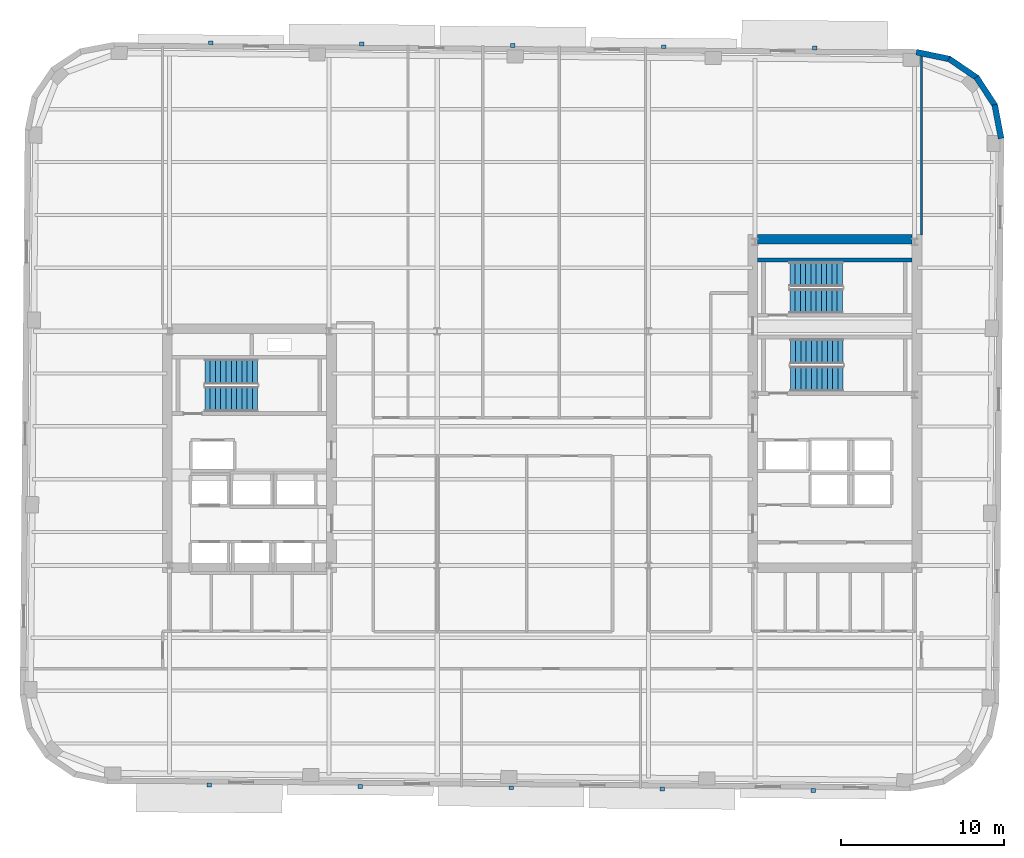
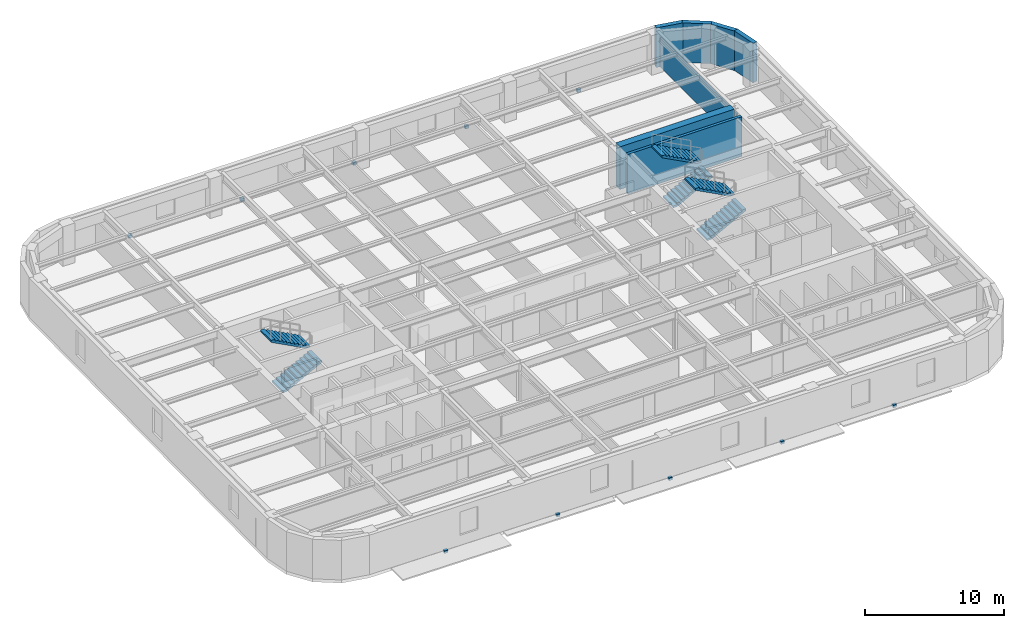
# One storey, part 7 of 11: 10 discrete accessories, 7 walls, 6 stair flights, 3 elements without a shape of their own.
"""IFC4 building model written with IfcOpenShell, lengths in metres."""

from ifc_helpers import new_model, si_unit, direction, frame, frame_2d, origin, origin_2d, place, context, subcontext, project, spatial, polyline, rectangle, outline, extrude, material, layer, layer_set, type_object, element, aggregate, save


model = new_model("IFC4")

# Units and contexts
model_context = context("Model", 3, precision=1e-05, world=origin(), true_north=direction((0.0, 1.0)))
body_context = subcontext(model_context, "Body", "Model", "MODEL_VIEW")
ifc_project = project(units=[si_unit("LENGTHUNIT", "METRE"), si_unit("AREAUNIT", "SQUARE_METRE"), si_unit("VOLUMEUNIT", "CUBIC_METRE"), si_unit("PLANEANGLEUNIT", "RADIAN"), si_unit("MASSUNIT", "GRAM", prefix="KILO")], contexts=[model_context])

# Site, building, storey
site_placement = place(None, origin())
site = spatial("IfcSite", under=ifc_project, at=site_placement, CompositionType="ELEMENT")
building_placement = place(site_placement, origin())
building = spatial("IfcBuilding", under=site, at=building_placement, Name="Kolvaren Arena Tower", CompositionType="ELEMENT")
storey_placement = place(building_placement, frame((0.0, 0.0, 184.699951171875)))
storey = spatial("IfcBuildingStorey", under=building, at=storey_placement, Name="L44", CompositionType="ELEMENT", Elevation=184.699951171875)

# Walls
ifc_material_1 = material(Name="Concrete 60 MPa", Category="concrete")
ifc_layer_1 = layer(ifc_material_1, 0.60009765625)
ifc_layer_set_1 = layer_set([ifc_layer_1], Name="Concrete 60 MPa")
wall_type_1 = type_object("IfcWallType", Name="CWALL-600", PredefinedType="SHEAR", material=ifc_layer_set_1)
wall_1_placement = place(storey_placement, frame((50.699951171875, 39.5, -0.27001953125), z_axis=(0.0, 0.0, 1.0), x_axis=(1.0, 0.0, 0.0)))
element("IfcWall", 1, at=wall_1_placement, inside=storey, type_object=wall_type_1, Name="Core Shear Wall EC-NORTH (L44)", PredefinedType="SHEAR", context=body_context, shape_type="SweptSolid", body=[
    extrude(rectangle(XDim=9.5, YDim=0.60009765625, at=frame_2d((4.75, 0.0))), origin(), (0.0, 0.0, 1.0), 3.75),
])
ifc_material_2 = material(Name="Precast concrete C50/60", Category="concrete")
ifc_layer_2 = layer(ifc_material_2, 0.360107421875)
ifc_layer_set_2 = layer_set([ifc_layer_2], Name="Precast concrete C50/60")
wall_type_2 = type_object("IfcWallType", Name="EXT-PIER2", PredefinedType="SOLIDWALL", material=ifc_layer_set_2)
wall_2_placement = place(storey_placement, frame((65.281005859375, 47.773193359375, 0.0), z_axis=(0.0, 0.0, 1.0), x_axis=(0.186435855703, -0.98246713518, 0.0)))
element("IfcWall", 2, at=wall_2_placement, inside=storey, type_object=wall_type_2, Name="Exterior Precast Masonry-Frame Wall (L44)", PredefinedType="SOLIDWALL", context=body_context, shape_type="SweptSolid", body=[
    extrude(rectangle(XDim=2.10693359375, YDim=0.360107421875, at=frame_2d((1.053466796875, 0.0))), origin(), (0.0, 0.0, 1.0), 3.47998046875),
])
wall_3_placement = place(storey_placement, frame((64.152099609375, 49.469970703125, 0.0), z_axis=(0.0, 0.0, 1.0), x_axis=(0.548238722478, -0.83632188969, 0.0)))
element("IfcWall", 3, at=wall_3_placement, inside=storey, type_object=wall_type_2, Name="Exterior Precast Masonry-Frame Wall (L44)", PredefinedType="SOLIDWALL", context=body_context, shape_type="SweptSolid", body=[
    extrude(rectangle(XDim=2.106689453125, YDim=0.360107421875, at=frame_2d((1.05322265625, 0.0))), origin(), (0.0, 0.0, 1.0), 3.47998046875),
])
wall_4_placement = place(storey_placement, frame((62.45947265625, 50.605712890625, 0.0), z_axis=(0.0, 0.0, 1.0), x_axis=(0.826609569219, -0.56277581689, 0.0)))
element("IfcWall", 4, at=wall_4_placement, inside=storey, type_object=wall_type_2, Name="Exterior Precast Masonry-Frame Wall (L44)", PredefinedType="SOLIDWALL", context=body_context, shape_type="SweptSolid", body=[
    extrude(rectangle(XDim=2.10693359375, YDim=0.360107421875, at=frame_2d((1.053466796875, 0.0))), origin(), (0.0, 0.0, 1.0), 3.47998046875),
])
wall_5_placement = place(storey_placement, frame((60.461181640625, 51.00732421875, 0.0), z_axis=(0.0, 0.0, 1.0), x_axis=(0.979059388908, -0.203574833883, 0.0)))
element("IfcWall", 5, at=wall_5_placement, inside=storey, type_object=wall_type_2, Name="Exterior Precast Masonry-Frame Wall (L44)", PredefinedType="SOLIDWALL", context=body_context, shape_type="SweptSolid", body=[
    extrude(rectangle(XDim=2.107177734375, YDim=0.360107421875, at=frame_2d((1.0537109375, 0.0))), origin(), (0.0, 0.0, 1.0), 3.47998046875),
])
ifc_material_3 = material(Name="Gypsum board partition assembly", Category="gypsum")
ifc_layer_3 = layer(ifc_material_3, 0.135009765625)
ifc_layer_set_3 = layer_set([ifc_layer_3], Name="Gypsum board partition assembly")
wall_type_3 = type_object("IfcWallType", Name="PART-135", PredefinedType="PARTITIONING", material=ifc_layer_set_3)
wall_6_placement = place(storey_placement, frame((60.780029296875, 39.75, 0.0), z_axis=(0.0, 0.0, 1.0), x_axis=(0.0, 1.0, 0.0)))
element("IfcWall", 6, at=wall_6_placement, inside=storey, type_object=wall_type_3, Name="Interior Partition Wall (L44)", PredefinedType="PARTITIONING", context=body_context, shape_type="SweptSolid", body=[
    extrude(rectangle(XDim=11.1298828125, YDim=0.135009765625, at=frame_2d((5.56494140625, 0.0))), origin(), (0.0, 0.0, 1.0), 2.5400390625),
])
ifc_material_4 = material(Name="Concrete 45 MPa", Category="concrete")
ifc_layer_4 = layer(ifc_material_4, 0.25)
ifc_layer_set_4 = layer_set([ifc_layer_4], Name="Concrete 45 MPa")
wall_type_4 = type_object("IfcWallType", Name="SHAFT-250", PredefinedType="SOLIDWALL", material=ifc_layer_set_4)
wall_7_placement = place(storey_placement, frame((50.699951171875, 38.219970703125, 0.0), z_axis=(0.0, 0.0, 1.0), x_axis=(1.0, 0.0, 0.0)))
element("IfcWall", 7, at=wall_7_placement, inside=storey, type_object=wall_type_4, Name="Core Shaft Wall (L44)", PredefinedType="SOLIDWALL", context=body_context, shape_type="SweptSolid", body=[
    extrude(rectangle(XDim=9.5, YDim=0.239990234375, at=frame_2d((4.75, 0.0))), origin(), (0.0, 0.0, 1.0), 3.47998046875),
])

# Stair, stair flights
stair_type_1 = type_object("IfcStairType", Name="STAIR-CORE-150", PredefinedType="HALF_TURN_STAIR", material=ifc_material_4)
stair_1_placement = place(storey_placement, origin())
stair_1 = element("IfcStair", 8, at=stair_1_placement, inside=storey, type_object=stair_type_1, Name="L44 ST-E2", PredefinedType="HALF_TURN_STAIR")
stair_flight_type_1 = type_object("IfcStairFlightType", Name="FLT-150", PredefinedType="STRAIGHT", material=ifc_material_4)
stair_flight_1_placement = place(storey_placement, frame((52.679931640625, 35.699951171875, 0.0), z_axis=(0.0, 0.0, 1.0), x_axis=(1.0, 0.0, 0.0)))
stair_flight_1 = element("IfcStairFlight", 9, at=stair_flight_1_placement, type_object=stair_flight_type_1, Name="ST-E2 flight 1", NumberOfRisers=11, NumberOfTreads=10, PredefinedType="STRAIGHT", RiserHeight=0.170454545, TreadLength=0.324, context=body_context, shape_type="SweptSolid", body=[
    extrude(outline(polyline([(0.0, 0.0), (0.0, 0.17041015625), (0.323974609375, 0.17041015625), (0.323974609375, 0.3408203125), (0.64794921875, 0.3408203125), (0.64794921875, 0.511474609375), (0.971923828125, 0.511474609375), (0.971923828125, 0.681884765625), (1.2958984375, 0.681884765625), (1.2958984375, 0.852294921875), (1.6201171875, 0.852294921875), (1.6201171875, 1.022705078125), (1.944091796875, 1.022705078125), (1.944091796875, 1.193115234375), (2.26806640625, 1.193115234375), (2.26806640625, 1.363525390625), (2.592041015625, 1.363525390625), (2.592041015625, 1.5341796875), (2.916015625, 1.5341796875), (2.916015625, 1.70458984375), (3.239990234375, 1.70458984375), (3.239990234375, 1.875), (3.239990234375, 1.53515625), (0.322021484375, 0.0), (0.0, 0.0)])), frame((0.0, 0.75, 0.0), z_axis=(0.0, -1.0, 0.0), x_axis=(1.0, 0.0, 0.0)), (0.0, 0.0, 1.0), 1.5),
])
stair_flight_2_placement = place(storey_placement, frame((55.919921875, 37.35009765625, 1.875), z_axis=(0.0, 0.0, 1.0), x_axis=(-1.0, 0.0, 0.0)))
stair_flight_2 = element("IfcStairFlight", 10, at=stair_flight_2_placement, type_object=stair_flight_type_1, Name="ST-E2 flight 2", NumberOfRisers=11, NumberOfTreads=10, PredefinedType="STRAIGHT", RiserHeight=0.170454545, TreadLength=0.324, context=body_context, shape_type="SweptSolid", body=[
    extrude(outline(polyline([(0.0, 0.0), (0.0, 0.17041015625), (0.323974609375, 0.17041015625), (0.323974609375, 0.3408203125), (0.64794921875, 0.3408203125), (0.64794921875, 0.511474609375), (0.971923828125, 0.511474609375), (0.971923828125, 0.681884765625), (1.2958984375, 0.681884765625), (1.2958984375, 0.852294921875), (1.6201171875, 0.852294921875), (1.6201171875, 1.022705078125), (1.944091796875, 1.022705078125), (1.944091796875, 1.193115234375), (2.26806640625, 1.193115234375), (2.26806640625, 1.363525390625), (2.592041015625, 1.363525390625), (2.592041015625, 1.5341796875), (2.916015625, 1.5341796875), (2.916015625, 1.70458984375), (3.239990234375, 1.70458984375), (3.239990234375, 1.875), (3.239990234375, 1.53515625), (0.322021484375, 0.0), (0.0, 0.0)])), frame((0.0, 0.75, 0.0), z_axis=(0.0, -1.0, 0.0), x_axis=(1.0, 0.0, 0.0)), (0.0, 0.0, 1.0), 1.5),
])
aggregate(stair_1, [stair_flight_1, stair_flight_2])

stair_type_2 = type_object("IfcStairType", Name="STAIR-CORE-165", PredefinedType="HALF_TURN_STAIR", material=ifc_material_4)
stair_2_placement = place(storey_placement, origin())
stair_2 = element("IfcStair", 11, at=stair_2_placement, inside=storey, type_object=stair_type_2, Name="L44 ST-W1", PredefinedType="HALF_TURN_STAIR")
stair_flight_type_2 = type_object("IfcStairFlightType", Name="FLT-165", PredefinedType="STRAIGHT", material=ifc_material_4)
stair_flight_3_placement = place(storey_placement, frame((16.719970703125, 29.669921875, 0.0), z_axis=(0.0, 0.0, 1.0), x_axis=(1.0, 0.0, 0.0)))
stair_flight_3 = element("IfcStairFlight", 12, at=stair_flight_3_placement, type_object=stair_flight_type_2, Name="ST-W1 flight 1", NumberOfRisers=11, NumberOfTreads=10, PredefinedType="STRAIGHT", RiserHeight=0.170454545, TreadLength=0.324, context=body_context, shape_type="SweptSolid", body=[
    extrude(outline(polyline([(0.0, 0.0), (0.0, 0.17041015625), (0.323974609375, 0.17041015625), (0.323974609375, 0.3408203125), (0.64794921875, 0.3408203125), (0.64794921875, 0.511474609375), (0.971923828125, 0.511474609375), (0.971923828125, 0.681884765625), (1.2958984375, 0.681884765625), (1.2958984375, 0.852294921875), (1.6201171875, 0.852294921875), (1.6201171875, 1.022705078125), (1.944091796875, 1.022705078125), (1.944091796875, 1.193115234375), (2.26806640625, 1.193115234375), (2.26806640625, 1.363525390625), (2.592041015625, 1.363525390625), (2.592041015625, 1.5341796875), (2.916015625, 1.5341796875), (2.916015625, 1.70458984375), (3.239990234375, 1.70458984375), (3.239990234375, 1.875), (3.239990234375, 1.53515625), (0.322021484375, 0.0), (0.0, 0.0)])), frame((0.0, 0.77001953125, 0.0), z_axis=(0.0, -1.0, 0.0), x_axis=(1.0, 0.0, 0.0)), (0.0, 0.0, 1.0), 1.5400390625),
])
stair_flight_4_placement = place(storey_placement, frame((19.9599609375, 31.360107421875, 1.875), z_axis=(0.0, 0.0, 1.0), x_axis=(-1.0, 0.0, 0.0)))
stair_flight_4 = element("IfcStairFlight", 13, at=stair_flight_4_placement, type_object=stair_flight_type_2, Name="ST-W1 flight 2", NumberOfRisers=11, NumberOfTreads=10, PredefinedType="STRAIGHT", RiserHeight=0.170454545, TreadLength=0.324, context=body_context, shape_type="SweptSolid", body=[
    extrude(outline(polyline([(0.0, 0.0), (0.0, 0.17041015625), (0.323974609375, 0.17041015625), (0.323974609375, 0.3408203125), (0.64794921875, 0.3408203125), (0.64794921875, 0.511474609375), (0.971923828125, 0.511474609375), (0.971923828125, 0.681884765625), (1.2958984375, 0.681884765625), (1.2958984375, 0.852294921875), (1.6201171875, 0.852294921875), (1.6201171875, 1.022705078125), (1.944091796875, 1.022705078125), (1.944091796875, 1.193115234375), (2.26806640625, 1.193115234375), (2.26806640625, 1.363525390625), (2.592041015625, 1.363525390625), (2.592041015625, 1.5341796875), (2.916015625, 1.5341796875), (2.916015625, 1.70458984375), (3.239990234375, 1.70458984375), (3.239990234375, 1.875), (3.239990234375, 1.53515625), (0.322021484375, 0.0), (0.0, 0.0)])), frame((0.0, 0.77001953125, 0.0), z_axis=(0.0, -1.0, 0.0), x_axis=(1.0, 0.0, 0.0)), (0.0, 0.0, 1.0), 1.5400390625),
])
aggregate(stair_2, [stair_flight_3, stair_flight_4])

stair_3_placement = place(storey_placement, origin())
stair_3 = element("IfcStair", 14, at=stair_3_placement, inside=storey, type_object=stair_type_2, Name="L44 ST-E1", PredefinedType="HALF_TURN_STAIR")
stair_flight_5_placement = place(storey_placement, frame((52.719970703125, 30.919921875, 0.0), z_axis=(0.0, 0.0, 1.0), x_axis=(1.0, 0.0, 0.0)))
stair_flight_5 = element("IfcStairFlight", 15, at=stair_flight_5_placement, type_object=stair_flight_type_2, Name="ST-E1 flight 1", NumberOfRisers=11, NumberOfTreads=10, PredefinedType="STRAIGHT", RiserHeight=0.170454545, TreadLength=0.324, context=body_context, shape_type="SweptSolid", body=[
    extrude(outline(polyline([(0.0, 0.0), (0.0, 0.17041015625), (0.323974609375, 0.17041015625), (0.323974609375, 0.3408203125), (0.64794921875, 0.3408203125), (0.64794921875, 0.511474609375), (0.971923828125, 0.511474609375), (0.971923828125, 0.681884765625), (1.2958984375, 0.681884765625), (1.2958984375, 0.852294921875), (1.6201171875, 0.852294921875), (1.6201171875, 1.022705078125), (1.944091796875, 1.022705078125), (1.944091796875, 1.193115234375), (2.26806640625, 1.193115234375), (2.26806640625, 1.363525390625), (2.592041015625, 1.363525390625), (2.592041015625, 1.5341796875), (2.916015625, 1.5341796875), (2.916015625, 1.70458984375), (3.239990234375, 1.70458984375), (3.239990234375, 1.875), (3.239990234375, 1.53515625), (0.322021484375, 0.0), (0.0, 0.0)])), frame((0.0, 0.77001953125, 0.0), z_axis=(0.0, -1.0, 0.0), x_axis=(1.0, 0.0, 0.0)), (0.0, 0.0, 1.0), 1.5400390625),
])
stair_flight_6_placement = place(storey_placement, frame((55.9599609375, 32.610107421875, 1.875), z_axis=(0.0, 0.0, 1.0), x_axis=(-1.0, 0.0, 0.0)))
stair_flight_6 = element("IfcStairFlight", 16, at=stair_flight_6_placement, type_object=stair_flight_type_2, Name="ST-E1 flight 2", NumberOfRisers=11, NumberOfTreads=10, PredefinedType="STRAIGHT", RiserHeight=0.170454545, TreadLength=0.324, context=body_context, shape_type="SweptSolid", body=[
    extrude(outline(polyline([(0.0, 0.0), (0.0, 0.17041015625), (0.323974609375, 0.17041015625), (0.323974609375, 0.3408203125), (0.64794921875, 0.3408203125), (0.64794921875, 0.511474609375), (0.971923828125, 0.511474609375), (0.971923828125, 0.681884765625), (1.2958984375, 0.681884765625), (1.2958984375, 0.852294921875), (1.6201171875, 0.852294921875), (1.6201171875, 1.022705078125), (1.944091796875, 1.022705078125), (1.944091796875, 1.193115234375), (2.26806640625, 1.193115234375), (2.26806640625, 1.363525390625), (2.592041015625, 1.363525390625), (2.592041015625, 1.5341796875), (2.916015625, 1.5341796875), (2.916015625, 1.70458984375), (3.239990234375, 1.70458984375), (3.239990234375, 1.875), (3.239990234375, 1.53515625), (0.322021484375, 0.0), (0.0, 0.0)])), frame((0.0, 0.77001953125, 0.0), z_axis=(0.0, -1.0, 0.0), x_axis=(1.0, 0.0, 0.0)), (0.0, 0.0, 1.0), 1.5400390625),
])
aggregate(stair_3, [stair_flight_5, stair_flight_6])

# Discrete accessories
ifc_material_5 = material(Name="Stainless steel facade support bracket", Category="steel")
discrete_accessory_type = type_object("IfcDiscreteAccessoryType", Name="ACC-BRKT-1", PredefinedType="BRACKET", material=ifc_material_5)
for number, where, z_axis, x_axis, name in (
    (17, (17.08984375, 51.58251953125, -0.18017578125), (0.0, 0.0, 1.0), (0.999961923064, -0.008726535498, 0.0), "Sunshade Support Bracket (L44)"),
    (18, (26.369384765625, 51.50146484375, -0.18017578125), (0.0, 0.0, 1.0), (0.999961923064, -0.008726535498, 0.0), "Sunshade Support Bracket (L44)"),
    (19, (35.649169921875, 51.42041015625, -0.18017578125), (0.0, 0.0, 1.0), (0.999961923064, -0.008726535498, 0.0), "Sunshade Support Bracket (L44)"),
    (20, (44.9287109375, 51.339599609375, -0.18017578125), (0.0, 0.0, 1.0), (0.999961923064, -0.008726535498, 0.0), "Sunshade Support Bracket (L44)"),
    (21, (54.20849609375, 51.258544921875, -0.18017578125), (0.0, 0.0, 1.0), (0.999961923064, -0.008726535498, 0.0), "Sunshade Support Bracket (L44)"),
    (22, (54.110107421875, 5.61767578125, -0.18017578125), (0.0, 0.0, 1.0), (-0.999961923064, 0.008726535498, 0.0), "Sunshade Support Bracket (L44)"),
    (23, (44.83056640625, 5.698486328125, -0.18017578125), (0.0, 0.0, 1.0), (-0.999961923064, 0.008726535498, 0.0), "Sunshade Support Bracket (L44)"),
    (24, (35.55078125, 5.779541015625, -0.18017578125), (0.0, 0.0, 1.0), (-0.999961923064, 0.008726535498, 0.0), "Sunshade Support Bracket (L44)"),
    (25, (26.271240234375, 5.860595703125, -0.18017578125), (0.0, 0.0, 1.0), (-0.999961923064, 0.008726535498, 0.0), "Sunshade Support Bracket (L44)"),
    (26, (16.99169921875, 5.94140625, -0.18017578125), (0.0, 0.0, 1.0), (-0.999961923064, 0.008726535498, 0.0), "Sunshade Support Bracket (L44)"),
):
    element("IfcDiscreteAccessory", number, at=place(storey_placement, frame(where, z_axis=z_axis, x_axis=x_axis)), inside=storey, type_object=discrete_accessory_type, Name=name, PredefinedType="BRACKET", context=body_context, shape_type="SweptSolid", body=[
        extrude(rectangle(XDim=0.280029296875, YDim=0.239990234375, at=origin_2d()), origin(), (0.0, 0.0, 1.0), 0.239990234375),
    ])

save(model, "model.ifc")
